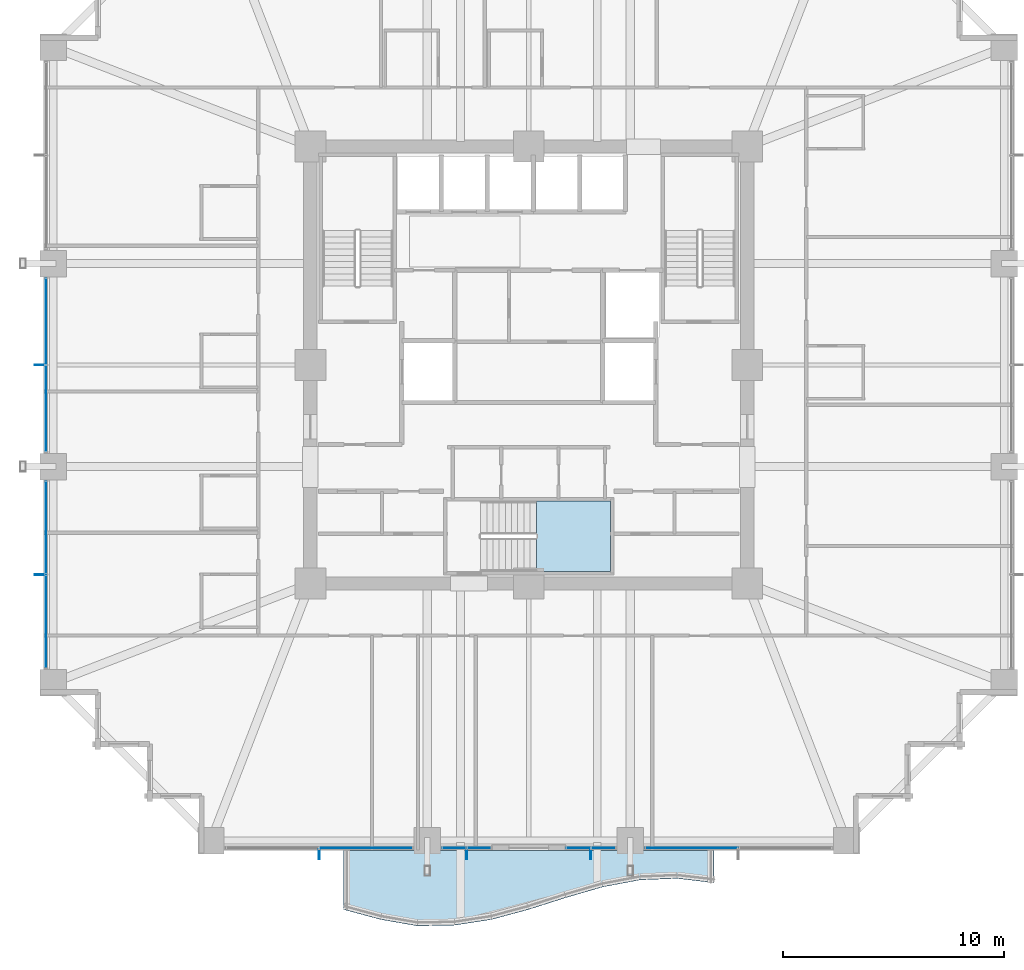
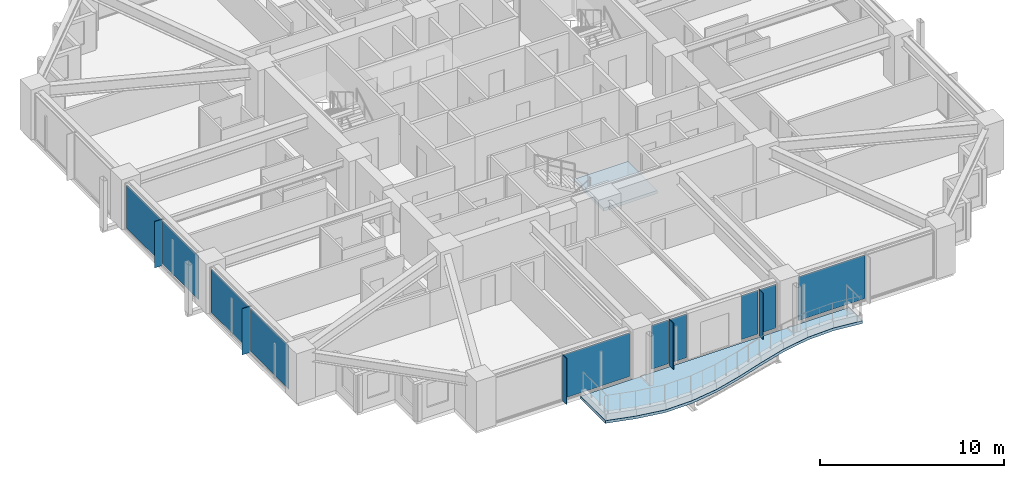
# One storey, part 26 of 38: 15 plates, 2 slabs, 7 elements without a shape of their own.
"""IFC4 building model written with IfcOpenShell, lengths in metres."""

from ifc_helpers import new_model, si_unit, direction, frame, origin, origin_2d, place, context, subcontext, project, spatial, polyline, rectangle, outline, extrude, material, layer, layer_set, type_object, element, aggregate, save


model = new_model("IFC4")

# Units and contexts
model_context = context("Model", 3, precision=1e-05, world=origin(), true_north=direction((0.0, 1.0)))
body_context = subcontext(model_context, "Body", "Model", "MODEL_VIEW")
ifc_project = project(units=[si_unit("LENGTHUNIT", "METRE"), si_unit("AREAUNIT", "SQUARE_METRE"), si_unit("VOLUMEUNIT", "CUBIC_METRE"), si_unit("PLANEANGLEUNIT", "RADIAN"), si_unit("MASSUNIT", "GRAM", prefix="KILO")], contexts=[model_context])

# Site, building, storey
site_placement = place(None, origin())
site = spatial("IfcSite", under=ifc_project, at=site_placement, CompositionType="ELEMENT")
building_placement = place(site_placement, origin())
building = spatial("IfcBuilding", under=site, at=building_placement, Name="Kolvaren Belvedere", CompositionType="ELEMENT")
storey_placement = place(building_placement, frame((0.0, 0.0, 50.199951171875)))
storey = spatial("IfcBuildingStorey", under=building, at=storey_placement, Name="L14", CompositionType="ELEMENT", Elevation=50.199951171875)

# Curtain wall, plate
ifc_material_1 = material(Name="Anodised pale-metal aluminium AA 6063-T6", Category="aluminium")
curtain_wall_type = type_object("IfcCurtainWallType", Name="CW-Z1-LOW", PredefinedType="NOTDEFINED", material=ifc_material_1)
curtain_wall_1_placement = place(storey_placement, origin())
curtain_wall_1 = element("IfcCurtainWall", 1, at=curtain_wall_1_placement, inside=storey, type_object=curtain_wall_type, Name="L14 Unitised Curtain Wall FCW-L14-S1-B1", PredefinedType="NOTDEFINED")
ifc_material_2 = material(Name="Low-iron triple insulated glass", Category="glass")
ifc_layer_1 = layer(ifc_material_2, 0.028076171875)
ifc_layer_set_1 = layer_set([ifc_layer_1], Name="Low-iron triple insulated glass")
plate_type_1 = type_object("IfcPlateType", Name="CW-PNL-VIS28", PredefinedType="CURTAIN_PANEL", material=ifc_layer_set_1)
plate_1_placement = place(storey_placement, frame((7.37744140625, -21.8798828125, 0.080078125), z_axis=(0.0, 0.0, 1.0), x_axis=(-1.0, 0.0, 0.0)))
plate_1 = element("IfcPlate", 2, at=plate_1_placement, type_object=plate_type_1, Name="FCW-L14-S1-B1 Vision Glazing Panel 2", PredefinedType="CURTAIN_PANEL", context=body_context, shape_type="SweptSolid", body=[
    extrude(rectangle(XDim=4.1650390625, YDim=0.028076171875, at=origin_2d()), origin(), (0.0, 0.0, 1.0), 2.89990234375),
])
aggregate(curtain_wall_1, [plate_1])

# Curtain wall, plates
curtain_wall_2_placement = place(storey_placement, origin())
curtain_wall_2 = element("IfcCurtainWall", 3, at=curtain_wall_2_placement, inside=storey, type_object=curtain_wall_type, Name="L14 Unitised Curtain Wall FCW-L14-S1-B2", PredefinedType="NOTDEFINED")
plate_2_placement = place(storey_placement, frame((3.37890625, -21.8798828125, 0.080078125), z_axis=(0.0, 0.0, 1.0), x_axis=(-1.0, 0.0, 0.0)))
plate_2 = element("IfcPlate", 4, at=plate_2_placement, type_object=plate_type_1, Name="FCW-L14-S1-B2 Vision Glazing Panel 1", PredefinedType="CURTAIN_PANEL", context=body_context, shape_type="SweptSolid", body=[
    extrude(rectangle(XDim=1.052490234375, YDim=0.028076171875, at=origin_2d()), origin(), (0.0, 0.0, 1.0), 2.89990234375),
])
plate_3_placement = place(storey_placement, frame((2.24609375, -21.8798828125, 0.080078125), z_axis=(0.0, 0.0, 1.0), x_axis=(-1.0, 0.0, 0.0)))
plate_3 = element("IfcPlate", 5, at=plate_3_placement, type_object=plate_type_1, Name="FCW-L14-S1-B2 Vision Glazing Panel 2", PredefinedType="CURTAIN_PANEL", context=body_context, shape_type="SweptSolid", body=[
    extrude(rectangle(XDim=1.052490234375, YDim=0.028076171875, at=origin_2d()), origin(), (0.0, 0.0, 1.0), 2.89990234375),
])
aggregate(curtain_wall_2, [plate_2, plate_3])

curtain_wall_3_placement = place(storey_placement, origin())
curtain_wall_3 = element("IfcCurtainWall", 6, at=curtain_wall_3_placement, inside=storey, type_object=curtain_wall_type, Name="L14 Unitised Curtain Wall FCW-L14-S2-B1", PredefinedType="NOTDEFINED")
plate_4_placement = place(storey_placement, frame((-2.24609375, -21.8798828125, 0.080078125), z_axis=(0.0, 0.0, 1.0), x_axis=(-1.0, 0.0, 0.0)))
plate_4 = element("IfcPlate", 7, at=plate_4_placement, type_object=plate_type_1, Name="FCW-L14-S2-B1 Vision Glazing Panel 1", PredefinedType="CURTAIN_PANEL", context=body_context, shape_type="SweptSolid", body=[
    extrude(rectangle(XDim=1.052490234375, YDim=0.028076171875, at=origin_2d()), origin(), (0.0, 0.0, 1.0), 2.89990234375),
])
plate_5_placement = place(storey_placement, frame((-3.378662109375, -21.8798828125, 0.080078125), z_axis=(0.0, 0.0, 1.0), x_axis=(-1.0, 0.0, 0.0)))
plate_5 = element("IfcPlate", 8, at=plate_5_placement, type_object=plate_type_1, Name="FCW-L14-S2-B1 Vision Glazing Panel 2", PredefinedType="CURTAIN_PANEL", context=body_context, shape_type="SweptSolid", body=[
    extrude(rectangle(XDim=1.052490234375, YDim=0.028076171875, at=origin_2d()), origin(), (0.0, 0.0, 1.0), 2.89990234375),
])
aggregate(curtain_wall_3, [plate_4, plate_5])

# Curtain wall, plate
curtain_wall_4_placement = place(storey_placement, origin())
curtain_wall_4 = element("IfcCurtainWall", 9, at=curtain_wall_4_placement, inside=storey, type_object=curtain_wall_type, Name="L14 Unitised Curtain Wall FCW-L14-S2-B2", PredefinedType="NOTDEFINED")
plate_6_placement = place(storey_placement, frame((-7.37744140625, -21.8798828125, 0.080078125), z_axis=(0.0, 0.0, 1.0), x_axis=(-1.0, 0.0, 0.0)))
plate_6 = element("IfcPlate", 10, at=plate_6_placement, type_object=plate_type_1, Name="FCW-L14-S2-B2 Vision Glazing Panel 1", PredefinedType="CURTAIN_PANEL", context=body_context, shape_type="SweptSolid", body=[
    extrude(rectangle(XDim=4.1650390625, YDim=0.028076171875, at=origin_2d()), origin(), (0.0, 0.0, 1.0), 2.89990234375),
])
aggregate(curtain_wall_4, [plate_6])

# Curtain wall, plates
curtain_wall_5_placement = place(storey_placement, origin())
curtain_wall_5 = element("IfcCurtainWall", 11, at=curtain_wall_5_placement, inside=storey, type_object=curtain_wall_type, Name="L14 Unitised Curtain Wall FCW-L14-W-B1", PredefinedType="NOTDEFINED")
plate_7_placement = place(storey_placement, frame((-21.8798828125, -11.62255859375, 0.080078125), z_axis=(0.0, 0.0, 1.0), x_axis=(0.0, 1.0, 0.0)))
plate_7 = element("IfcPlate", 12, at=plate_7_placement, type_object=plate_type_1, Name="FCW-L14-W-B1 Vision Glazing Panel 1", PredefinedType="CURTAIN_PANEL", context=body_context, shape_type="SweptSolid", body=[
    extrude(rectangle(XDim=4.1650390625, YDim=0.028076171875, at=origin_2d()), origin(), (0.0, 0.0, 1.0), 2.89990234375),
])
plate_8_placement = place(storey_placement, frame((-21.8798828125, -7.37744140625, 0.080078125), z_axis=(0.0, 0.0, 1.0), x_axis=(0.0, 1.0, 0.0)))
plate_8 = element("IfcPlate", 13, at=plate_8_placement, type_object=plate_type_1, Name="FCW-L14-W-B1 Vision Glazing Panel 2", PredefinedType="CURTAIN_PANEL", context=body_context, shape_type="SweptSolid", body=[
    extrude(rectangle(XDim=4.1650390625, YDim=0.028076171875, at=origin_2d()), origin(), (0.0, 0.0, 1.0), 2.89990234375),
])
aggregate(curtain_wall_5, [plate_7, plate_8])

curtain_wall_6_placement = place(storey_placement, origin())
curtain_wall_6 = element("IfcCurtainWall", 14, at=curtain_wall_6_placement, inside=storey, type_object=curtain_wall_type, Name="L14 Unitised Curtain Wall FCW-L14-W-B2", PredefinedType="NOTDEFINED")
plate_9_placement = place(storey_placement, frame((-21.8798828125, -1.972412109375, 0.080078125), z_axis=(0.0, 0.0, 1.0), x_axis=(0.0, 1.0, 0.0)))
plate_9 = element("IfcPlate", 15, at=plate_9_placement, type_object=plate_type_1, Name="FCW-L14-W-B2 Vision Glazing Panel 1", PredefinedType="CURTAIN_PANEL", context=body_context, shape_type="SweptSolid", body=[
    extrude(rectangle(XDim=3.864990234375, YDim=0.028076171875, at=origin_2d()), origin(), (0.0, 0.0, 1.0), 2.89990234375),
])
plate_10_placement = place(storey_placement, frame((-21.8798828125, 1.972412109375, 0.080078125), z_axis=(0.0, 0.0, 1.0), x_axis=(0.0, 1.0, 0.0)))
plate_10 = element("IfcPlate", 16, at=plate_10_placement, type_object=plate_type_1, Name="FCW-L14-W-B2 Vision Glazing Panel 2", PredefinedType="CURTAIN_PANEL", context=body_context, shape_type="SweptSolid", body=[
    extrude(rectangle(XDim=3.864990234375, YDim=0.028076171875, at=origin_2d()), origin(), (0.0, 0.0, 1.0), 2.89990234375),
])
aggregate(curtain_wall_6, [plate_9, plate_10])

# Plates
ifc_material_3 = material(Name="Anodised pale-metal aluminium AA 6063-T6", Category="aluminium")
ifc_layer_2 = layer(ifc_material_3, 0.0380859375)
ifc_layer_set_2 = layer_set([ifc_layer_2], Name="Anodised pale-metal aluminium AA 6063-T6")
plate_type_2 = type_object("IfcPlateType", Name="FIN-VERT-450", PredefinedType="USERDEFINED", material=ifc_layer_set_2)
for number, where, z_axis, x_axis, name in (
    (17, (2.8125, -22.1650390625, 0.0), (0.0, 0.0, 1.0), (0.0, 1.0, 0.0), "L14 Pale-Metal Vertical Shading Fin FCW-L14-S1-B2-1"),
    (18, (-2.8125, -22.1650390625, 0.0), (0.0, 0.0, 1.0), (0.0, 1.0, 0.0), "L14 Pale-Metal Vertical Shading Fin FCW-L14-S2-B1-1"),
    (19, (-9.5, -22.1650390625, 0.0), (0.0, 0.0, 1.0), (0.0, 1.0, 0.0), "L14 Pale-Metal Vertical Shading Fin FCW-L14-S2-B2-1"),
    (20, (-22.1650390625, -9.5, 0.0), (0.0, 0.0, 1.0), (1.0, 0.0, 0.0), "L14 Pale-Metal Vertical Shading Fin FCW-L14-W-B1-1"),
    (21, (-22.1650390625, 0.0, 0.0), (0.0, 0.0, 1.0), (1.0, 0.0, 0.0), "L14 Pale-Metal Vertical Shading Fin FCW-L14-W-B2-1"),
):
    element("IfcPlate", number, at=place(storey_placement, frame(where, z_axis=z_axis, x_axis=x_axis)), inside=storey, type_object=plate_type_2, Name=name, ObjectType="VERTICAL FIN", PredefinedType="USERDEFINED", context=body_context, shape_type="SweptSolid", body=[
        extrude(rectangle(XDim=0.449951171875, YDim=0.0380859375, at=origin_2d()), origin(), (0.0, 0.0, 1.0), 3.06005859375),
    ])

# Slab
ifc_material_4 = material(Name="Concrete C50/60", Category="concrete")
ifc_layer_3 = layer(ifc_material_4, 0.179931640625)
ifc_layer_set_3 = layer_set([ifc_layer_3], Name="Concrete C50/60")
slab_type_1 = type_object("IfcSlabType", Name="SL-BAL-180", PredefinedType="FLOOR", material=ifc_layer_set_3)
slab_1_placement = place(storey_placement, frame((0.0, 0.0, -0.239990234375)))
element("IfcSlab", 22, at=slab_1_placement, inside=storey, type_object=slab_type_1, Name="L14 Planted Balcony BAL-S", PredefinedType="FLOOR", context=body_context, shape_type="SweptSolid", body=[
    extrude(outline(polyline([(-8.39990234375, -24.673583984375), (-6.719970703125, -25.127197265625), (-5.0400390625, -25.419921875), (-3.360107421875, -25.385986328125), (-1.679931640625, -25.127197265625), (0.0, -24.673583984375), (1.679931640625, -24.1376953125), (3.360107421875, -23.651611328125), (5.0400390625, -23.335693359375), (6.719970703125, -23.2685546875), (8.39990234375, -23.46630859375), (8.39990234375, -22.0), (6.719970703125, -22.0), (5.0400390625, -22.0), (3.360107421875, -22.0), (1.679931640625, -22.0), (0.0, -22.0), (-1.679931640625, -22.0), (-3.360107421875, -22.0), (-5.0400390625, -22.0), (-6.719970703125, -22.0), (-8.39990234375, -22.0), (-8.39990234375, -24.673583984375)])), origin(), (0.0, 0.0, 1.0), 0.179931640625),
])

# Stair, slab
ifc_material_5 = material(Name="Concrete C50/60", Category="concrete")
stair_type = type_object("IfcStairType", Name="ST-CORE-1520", PredefinedType="HALF_TURN_STAIR", material=ifc_material_5)
stair_placement = place(storey_placement, origin())
stair = element("IfcStair", 23, at=stair_placement, inside=storey, type_object=stair_type, Name="L14 Protected Exit Stair ST-3", PredefinedType="HALF_TURN_STAIR")
ifc_material_6 = material(Name="Concrete C50/60", Category="concrete")
ifc_layer_4 = layer(ifc_material_6, 0.260009765625)
ifc_layer_set_4 = layer_set([ifc_layer_4], Name="Concrete C50/60")
slab_type_2 = type_object("IfcSlabType", Name="SL-LAND-260", PredefinedType="LANDING", material=ifc_layer_set_4)
slab_2_placement = place(storey_placement, frame((0.0, 0.0, 1.449951171875)))
slab_2 = element("IfcSlab", 24, at=slab_2_placement, type_object=slab_type_2, Name="ST-3 landing 1", PredefinedType="LANDING", context=body_context, shape_type="SweptSolid", body=[
    extrude(outline(polyline([(0.340087890625, -9.35009765625), (3.699951171875, -9.35009765625), (3.699951171875, -6.159912109375), (0.340087890625, -6.159912109375), (0.340087890625, -9.35009765625)])), origin(), (0.0, 0.0, 1.0), 0.2001953125),
])
aggregate(stair, [slab_2])

save(model, "model.ifc")
